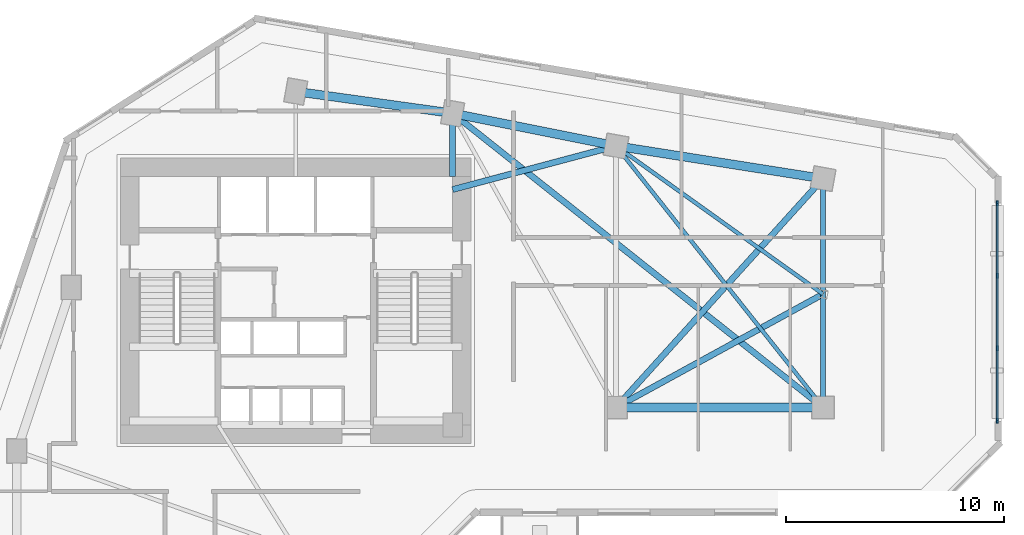
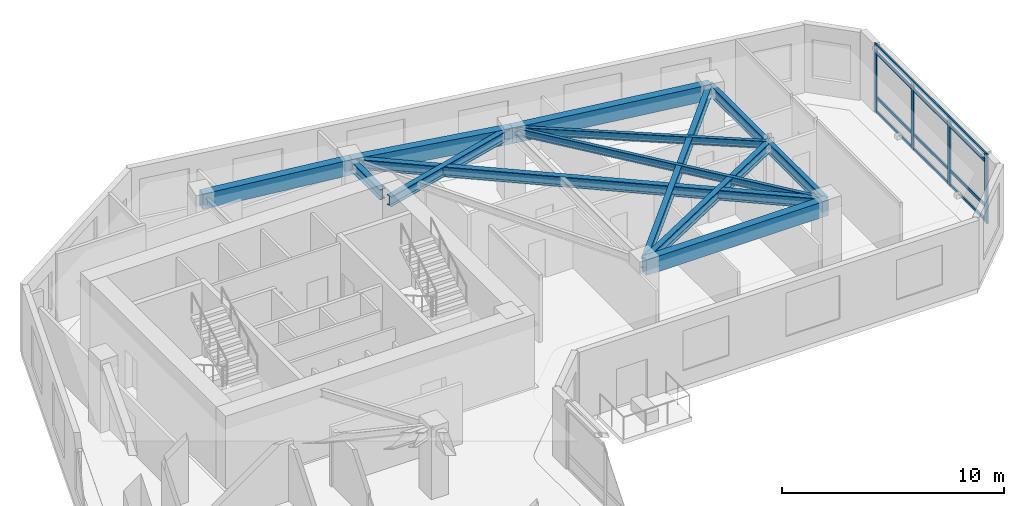
# One storey, part 3 of 10: 12 beams, 8 members, 1 element without a shape of its own.
"""IFC4 building model written with IfcOpenShell, lengths in metres."""

from ifc_helpers import new_model, si_unit, direction, frame, origin, origin_2d, place, context, subcontext, project, spatial, rectangle, i_section, extrude, source, transform, mapped, material, material_profile, profile_set, type_object, element, aggregate, save


model = new_model("IFC4")

# Units and contexts
model_context = context("Model", 3, precision=1e-05, world=origin(), true_north=direction((0.0, 1.0)))
body_context = subcontext(model_context, "Body", "Model", "MODEL_VIEW")
ifc_project = project(units=[si_unit("LENGTHUNIT", "METRE"), si_unit("AREAUNIT", "SQUARE_METRE"), si_unit("VOLUMEUNIT", "CUBIC_METRE"), si_unit("PLANEANGLEUNIT", "RADIAN"), si_unit("MASSUNIT", "GRAM", prefix="KILO")], contexts=[model_context])

# Site, building, storey
site_placement = place(None, origin())
site = spatial("IfcSite", under=ifc_project, at=site_placement, CompositionType="ELEMENT")
building_placement = place(site_placement, origin())
building = spatial("IfcBuilding", under=site, at=building_placement, Name="Calvemar Wedge Station Tower", CompositionType="ELEMENT")
storey_placement = place(building_placement, frame((0.0, 0.0, 87.0)))
storey = spatial("IfcBuildingStorey", under=building, at=storey_placement, Name="L21", CompositionType="ELEMENT", Elevation=87.0)

# Beams
ifc_material_1 = material(Name="Concrete C60", Category="concrete")
ifc_material_profile_1 = material_profile(ifc_material_1, rectangle(XDim=0.39990234375, YDim=0.85009765625, at=origin_2d()), Name="RC400x850")
ifc_profile_set_1 = profile_set([ifc_material_profile_1], Name="Concrete C60")
beam_type_1 = type_object("IfcBeamType", Name="BM-SP1-850", PredefinedType="SPANDREL", material=ifc_profile_set_1)
shared_shape_1 = source(origin(), body_context, "Body", "SweptSolid", [
    extrude(rectangle(XDim=0.39990234375, YDim=0.85009765625, at=origin_2d()), origin(), (0.0, 0.0, 1.0), 7.26904296875),
])
beam_1_placement = place(storey_placement, frame((23.800048828125, 49.5, 3.324951171875), z_axis=(0.990492146053, -0.13756928657, 0.0), x_axis=(0.13756928657, 0.990492146053, 0.0)))
element("IfcBeam", 1, at=beam_1_placement, inside=storey, type_object=beam_type_1, Name="Storey L21 Spandrel T-N1-T-N2", PredefinedType="SPANDREL", context=body_context, shape_type="MappedRepresentation", body=[
    mapped(shared_shape_1, transform((0.0, 0.0, 0.0), scale=1.0)),
])
shared_shape_2 = source(origin(), body_context, "Body", "SweptSolid", [
    extrude(rectangle(XDim=0.39990234375, YDim=0.85009765625, at=origin_2d()), origin(), (0.0, 0.0, 1.0), 7.6484375),
])
beam_2_placement = place(storey_placement, frame((31.0, 48.5, 3.324951171875), z_axis=(0.980580675691, -0.196116135138, 0.0), x_axis=(0.196116135138, 0.980580675691, 0.0)))
element("IfcBeam", 2, at=beam_2_placement, inside=storey, type_object=beam_type_1, Name="Storey L21 Spandrel T-N2-T-NU3", PredefinedType="SPANDREL", context=body_context, shape_type="MappedRepresentation", body=[
    mapped(shared_shape_2, transform((0.0, 0.0, 0.0), scale=1.0)),
])
shared_shape_3 = source(origin(), body_context, "Body", "SweptSolid", [
    extrude(rectangle(XDim=0.39990234375, YDim=0.85009765625, at=origin_2d()), origin(), (0.0, 0.0, 1.0), 9.61767578125),
])
beam_3_placement = place(storey_placement, frame((38.5, 47.0, 3.324951171875), z_axis=(0.987762965329, -0.155962573473, 0.0), x_axis=(0.155962573473, 0.987762965329, 0.0)))
element("IfcBeam", 3, at=beam_3_placement, inside=storey, type_object=beam_type_1, Name="Storey L21 Spandrel T-NU3-T-NU4", PredefinedType="SPANDREL", context=body_context, shape_type="MappedRepresentation", body=[
    mapped(shared_shape_3, transform((0.0, 0.0, 0.0), scale=1.0)),
])
shared_shape_4 = source(origin(), body_context, "Body", "SweptSolid", [
    extrude(rectangle(XDim=0.39990234375, YDim=0.85009765625, at=origin_2d()), origin(), (0.0, 0.0, 1.0), 9.5),
])
beam_4_placement = place(storey_placement, frame((38.5, 35.0, 3.324951171875), z_axis=(1.0, 0.0, 0.0), x_axis=(0.0, 1.0, 0.0)))
element("IfcBeam", 4, at=beam_4_placement, inside=storey, type_object=beam_type_1, Name="Storey L21 Spandrel T-NL2-T-NL3", PredefinedType="SPANDREL", context=body_context, shape_type="MappedRepresentation", body=[
    mapped(shared_shape_4, transform((0.0, 0.0, 0.0), scale=1.0)),
])
ifc_material_2 = material(Name="Structural steel ASTM A572 Grade 50", Category="steel")
ifc_material_profile_2 = material_profile(ifc_material_2, i_section(OverallWidth=0.22998046875, OverallDepth=0.616943359375, WebThickness=0.01318359375, FlangeThickness=0.022216796875, FilletRadius=0.012939453125, at=origin_2d()), Name="W610x140")
ifc_profile_set_2 = profile_set([ifc_material_profile_2], Name="Structural steel ASTM A572 Grade 50")
beam_type_2 = type_object("IfcBeamType", Name="BM-SB2-W610", PredefinedType="BEAM", material=ifc_profile_set_2)
shared_shape_5 = source(origin(), body_context, "Body", "SweptSolid", [
    extrude(i_section(OverallWidth=0.22998046875, OverallDepth=0.616943359375, WebThickness=0.01318359375, FlangeThickness=0.022216796875, FilletRadius=0.012939453125, at=origin_2d()), origin(), (0.0, 0.0, 1.0), 10.5),
])
beam_5_placement = place(storey_placement, frame((48.0, 45.5, 3.44140625), z_axis=(0.0, -1.0, 0.0), x_axis=(1.0, 0.0, 0.0)))
element("IfcBeam", 5, at=beam_5_placement, inside=storey, type_object=beam_type_2, Name="Storey L21 Floor Beam T-NU4-T-NL3", PredefinedType="BEAM", context=body_context, shape_type="MappedRepresentation", body=[
    mapped(shared_shape_5, transform((0.0, 0.0, 0.0), scale=1.0)),
])
ifc_material_profile_3 = material_profile(ifc_material_2, i_section(OverallWidth=0.279052734375, OverallDepth=0.553955078125, WebThickness=0.017578125, FlangeThickness=0.029541015625, FilletRadius=0.014892578125, at=origin_2d()), Name="W530x196")
ifc_profile_set_3 = profile_set([ifc_material_profile_3], Name="Structural steel ASTM A572 Grade 50")
beam_type_3 = type_object("IfcBeamType", Name="BM-SB3-W530H", PredefinedType="BEAM", material=ifc_profile_set_3)
shared_shape_6 = source(origin(), body_context, "Body", "SweptSolid", [
    extrude(i_section(OverallWidth=0.279052734375, OverallDepth=0.553955078125, WebThickness=0.017578125, FlangeThickness=0.029541015625, FilletRadius=0.014892578125, at=origin_2d()), origin(), (0.0, 0.0, 1.0), 21.708251953125),
])
beam_6_placement = place(storey_placement, frame((31.0, 48.5, 3.472900390625), z_axis=(0.783110847498, -0.621882143602, 0.0), x_axis=(0.621882143602, 0.783110847498, 0.0)))
element("IfcBeam", 6, at=beam_6_placement, inside=storey, type_object=beam_type_3, Name="Storey L21 Floor Beam T-N2-T-NL3", PredefinedType="BEAM", context=body_context, shape_type="MappedRepresentation", body=[
    mapped(shared_shape_6, transform((0.0, 0.0, 0.0), scale=1.0)),
])
ifc_material_profile_4 = material_profile(ifc_material_2, i_section(OverallWidth=0.177978515625, OverallDepth=0.406982421875, WebThickness=0.0078125, FlangeThickness=0.0126953125, FilletRadius=0.010009765625, at=origin_2d()), Name="W410x60")
ifc_profile_set_4 = profile_set([ifc_material_profile_4], Name="Structural steel ASTM A572 Grade 50")
beam_type_4 = type_object("IfcBeamType", Name="BM-J3-W410", PredefinedType="JOIST", material=ifc_profile_set_4)
shared_shape_7 = source(origin(), body_context, "Body", "SweptSolid", [
    extrude(i_section(OverallWidth=0.177978515625, OverallDepth=0.406982421875, WebThickness=0.0078125, FlangeThickness=0.0126953125, FilletRadius=0.010009765625, at=origin_2d()), origin(), (0.0, 0.0, 1.0), 15.30517578125),
])
beam_7_placement = place(storey_placement, frame((38.5, 47.0, 3.54638671875), z_axis=(0.620702944366, -0.784045824462, 0.0), x_axis=(0.784045824462, 0.620702944366, 0.0)))
element("IfcBeam", 7, at=beam_7_placement, inside=storey, type_object=beam_type_4, Name="Storey L21 Floor Beam T-NU3-T-NL3", PredefinedType="JOIST", context=body_context, shape_type="MappedRepresentation", body=[
    mapped(shared_shape_7, transform((0.0, 0.0, 0.0), scale=1.0)),
])
shared_shape_8 = source(origin(), body_context, "Body", "SweptSolid", [
    extrude(i_section(OverallWidth=0.279052734375, OverallDepth=0.553955078125, WebThickness=0.017578125, FlangeThickness=0.029541015625, FilletRadius=0.014892578125, at=origin_2d()), origin(), (0.0, 0.0, 1.0), 14.159912109375),
])
beam_8_placement = place(storey_placement, frame((38.5, 35.0, 3.472900390625), z_axis=(0.670913323969, 0.741535779124, 0.0), x_axis=(-0.741535779124, 0.670913323969, 0.0)))
element("IfcBeam", 8, at=beam_8_placement, inside=storey, type_object=beam_type_3, Name="Storey L21 Floor Beam T-NL2-T-NU4", PredefinedType="BEAM", context=body_context, shape_type="MappedRepresentation", body=[
    mapped(shared_shape_8, transform((0.0, 0.0, 0.0), scale=1.0)),
])
shared_shape_9 = source(origin(), body_context, "Body", "SweptSolid", [
    extrude(i_section(OverallWidth=0.177978515625, OverallDepth=0.406982421875, WebThickness=0.0078125, FlangeThickness=0.0126953125, FilletRadius=0.010009765625, at=origin_2d()), origin(), (0.0, 0.0, 1.0), 11.682861328125),
])
beam_9_placement = place(storey_placement, frame((48.0, 40.199951171875, 3.54638671875), z_axis=(-0.81315274409, 0.582050354161, 0.0), x_axis=(-0.582050354161, -0.81315274409, 0.0)))
element("IfcBeam", 9, at=beam_9_placement, inside=storey, type_object=beam_type_4, Name="Storey L21 Floor Beam T-NTIP-A-T-NU3", PredefinedType="JOIST", context=body_context, shape_type="MappedRepresentation", body=[
    mapped(shared_shape_9, transform((0.0, 0.0, 0.0), scale=1.0)),
])
shared_shape_10 = source(origin(), body_context, "Body", "SweptSolid", [
    extrude(i_section(OverallWidth=0.279052734375, OverallDepth=0.553955078125, WebThickness=0.017578125, FlangeThickness=0.029541015625, FilletRadius=0.014892578125, at=origin_2d()), origin(), (0.0, 0.0, 1.0), 10.830078125),
])
beam_10_placement = place(storey_placement, frame((48.0, 40.199951171875, 3.472900390625), z_axis=(-0.877190767997, -0.480142017053, 0.0), x_axis=(0.480142017053, -0.877190767997, 0.0)))
element("IfcBeam", 10, at=beam_10_placement, inside=storey, type_object=beam_type_3, Name="Storey L21 Floor Beam T-NTIP-A-T-NL2", PredefinedType="BEAM", context=body_context, shape_type="MappedRepresentation", body=[
    mapped(shared_shape_10, transform((0.0, 0.0, 0.0), scale=1.0)),
])
shared_shape_11 = source(origin(), body_context, "Body", "SweptSolid", [
    extrude(i_section(OverallWidth=0.279052734375, OverallDepth=0.553955078125, WebThickness=0.017578125, FlangeThickness=0.029541015625, FilletRadius=0.014892578125, at=origin_2d()), origin(), (0.0, 0.0, 1.0), 7.76220703125),
])
beam_11_placement = place(storey_placement, frame((31.0, 45.0, 3.472900390625), z_axis=(0.966234939601, 0.25766265056, 0.0), x_axis=(-0.25766265056, 0.966234939601, 0.0)))
element("IfcBeam", 11, at=beam_11_placement, inside=storey, type_object=beam_type_3, Name="Storey L21 Core-to-Column Joist CJ-E2", PredefinedType="BEAM", context=body_context, shape_type="MappedRepresentation", body=[
    mapped(shared_shape_11, transform((0.0, 0.0, 0.0), scale=1.0)),
])
shared_shape_12 = source(origin(), body_context, "Body", "SweptSolid", [
    extrude(i_section(OverallWidth=0.279052734375, OverallDepth=0.553955078125, WebThickness=0.017578125, FlangeThickness=0.029541015625, FilletRadius=0.014892578125, at=origin_2d()), origin(), (0.0, 0.0, 1.0), 2.89990234375),
])
beam_12_placement = place(storey_placement, frame((31.0, 45.60009765625, 3.472900390625), z_axis=(0.0, 1.0, 0.0), x_axis=(-1.0, 0.0, 0.0)))
element("IfcBeam", 12, at=beam_12_placement, inside=storey, type_object=beam_type_3, Name="Storey L21 Core-to-Column Joist CJ-N2", PredefinedType="BEAM", context=body_context, shape_type="MappedRepresentation", body=[
    mapped(shared_shape_12, transform((0.0, 0.0, 0.0), scale=1.0)),
])

# Curtain wall, members
ifc_material_3 = material(Name="Anodised aluminium 6063-T6", Category="aluminium")
curtain_wall_type = type_object("IfcCurtainWallType", Name="CW1", PredefinedType="NOTDEFINED", material=ifc_material_3)
curtain_wall_placement = place(storey_placement, origin())
curtain_wall = element("IfcCurtainWall", 13, at=curtain_wall_placement, inside=storey, type_object=curtain_wall_type, Name="Storey L21 CW1 Recessed Unitised Curtain Wall 8", PredefinedType="NOTDEFINED")
ifc_material_profile_5 = material_profile(ifc_material_3, rectangle(XDim=0.080078125, YDim=0.219970703125, at=origin_2d()), Name="AL-MUL-80x220")
ifc_profile_set_5 = profile_set([ifc_material_profile_5], Name="Anodised aluminium 6063-T6")
member_type_1 = type_object("IfcMemberType", Name="CW1-MUL", PredefinedType="MULLION", material=ifc_profile_set_5)
shared_shape_13 = source(origin(), body_context, "Body", "SweptSolid", [
    extrude(rectangle(XDim=0.080078125, YDim=0.219970703125, at=origin_2d()), origin(), (0.0, 0.0, 1.0), 3.800048828125),
])
member_1_placement = place(storey_placement, frame((55.989990234375, 34.39013671875, -0.050048828125), z_axis=(0.0, 0.0, 1.0), x_axis=(1.0, 0.0, 0.0)))
member_1 = element("IfcMember", 14, at=member_1_placement, type_object=member_type_1, Name="CW1 mullion 1", PredefinedType="MULLION", context=body_context, shape_type="MappedRepresentation", body=[
    mapped(shared_shape_13, transform((0.0, 0.0, 0.0), scale=1.0)),
])
member_2_placement = place(storey_placement, frame((55.989990234375, 37.71533203125, -0.050048828125), z_axis=(0.0, 0.0, 1.0), x_axis=(1.0, 0.0, 0.0)))
member_2 = element("IfcMember", 15, at=member_2_placement, type_object=member_type_1, Name="CW1 mullion 2", PredefinedType="MULLION", context=body_context, shape_type="MappedRepresentation", body=[
    mapped(shared_shape_13, transform((0.0, 0.0, 0.0), scale=1.0)),
])
member_3_placement = place(storey_placement, frame((55.989990234375, 41.04052734375, -0.050048828125), z_axis=(0.0, 0.0, 1.0), x_axis=(1.0, 0.0, 0.0)))
member_3 = element("IfcMember", 16, at=member_3_placement, type_object=member_type_1, Name="CW1 mullion 3", PredefinedType="MULLION", context=body_context, shape_type="MappedRepresentation", body=[
    mapped(shared_shape_13, transform((0.0, 0.0, 0.0), scale=1.0)),
])
member_4_placement = place(storey_placement, frame((55.989990234375, 44.365966796875, -0.050048828125), z_axis=(0.0, 0.0, 1.0), x_axis=(1.0, 0.0, 0.0)))
member_4 = element("IfcMember", 17, at=member_4_placement, type_object=member_type_1, Name="CW1 mullion 4", PredefinedType="MULLION", context=body_context, shape_type="MappedRepresentation", body=[
    mapped(shared_shape_13, transform((0.0, 0.0, 0.0), scale=1.0)),
])
ifc_material_profile_6 = material_profile(ifc_material_3, rectangle(XDim=0.080078125, YDim=0.159912109375, at=origin_2d()), Name="AL-TRN-80x160")
ifc_profile_set_6 = profile_set([ifc_material_profile_6], Name="Anodised aluminium 6063-T6")
member_type_2 = type_object("IfcMemberType", Name="CW1-TRN", PredefinedType="USERDEFINED", material=ifc_profile_set_6)
shared_shape_14 = source(origin(), body_context, "Body", "SweptSolid", [
    extrude(rectangle(XDim=0.080078125, YDim=0.159912109375, at=origin_2d()), origin(), (0.0, 0.0, 1.0), 9.975830078125),
])
member_5_placement = place(storey_placement, frame((55.989990234375, 34.39013671875, 0.06005859375), z_axis=(0.0, 1.0, 0.0), x_axis=(-1.0, 0.0, 0.0)))
member_5 = element("IfcMember", 18, at=member_5_placement, type_object=member_type_2, Name="CW1 transom 1", ObjectType="TRANSOM", PredefinedType="USERDEFINED", context=body_context, shape_type="MappedRepresentation", body=[
    mapped(shared_shape_14, transform((0.0, 0.0, 0.0), scale=1.0)),
])
member_6_placement = place(storey_placement, frame((55.989990234375, 34.39013671875, 0.85009765625), z_axis=(0.0, 1.0, 0.0), x_axis=(-1.0, 0.0, 0.0)))
member_6 = element("IfcMember", 19, at=member_6_placement, type_object=member_type_2, Name="CW1 transom 2", ObjectType="TRANSOM", PredefinedType="USERDEFINED", context=body_context, shape_type="MappedRepresentation", body=[
    mapped(shared_shape_14, transform((0.0, 0.0, 0.0), scale=1.0)),
])
member_7_placement = place(storey_placement, frame((55.989990234375, 34.39013671875, 3.300048828125), z_axis=(0.0, 1.0, 0.0), x_axis=(-1.0, 0.0, 0.0)))
member_7 = element("IfcMember", 20, at=member_7_placement, type_object=member_type_2, Name="CW1 transom 3", ObjectType="TRANSOM", PredefinedType="USERDEFINED", context=body_context, shape_type="MappedRepresentation", body=[
    mapped(shared_shape_14, transform((0.0, 0.0, 0.0), scale=1.0)),
])
member_8_placement = place(storey_placement, frame((55.989990234375, 34.39013671875, 3.68994140625), z_axis=(0.0, 1.0, 0.0), x_axis=(-1.0, 0.0, 0.0)))
member_8 = element("IfcMember", 21, at=member_8_placement, type_object=member_type_2, Name="CW1 transom 4", ObjectType="TRANSOM", PredefinedType="USERDEFINED", context=body_context, shape_type="MappedRepresentation", body=[
    mapped(shared_shape_14, transform((0.0, 0.0, 0.0), scale=1.0)),
])
aggregate(curtain_wall, [member_1, member_2, member_3, member_4, member_5, member_6, member_7, member_8])

save(model, "model.ifc")
